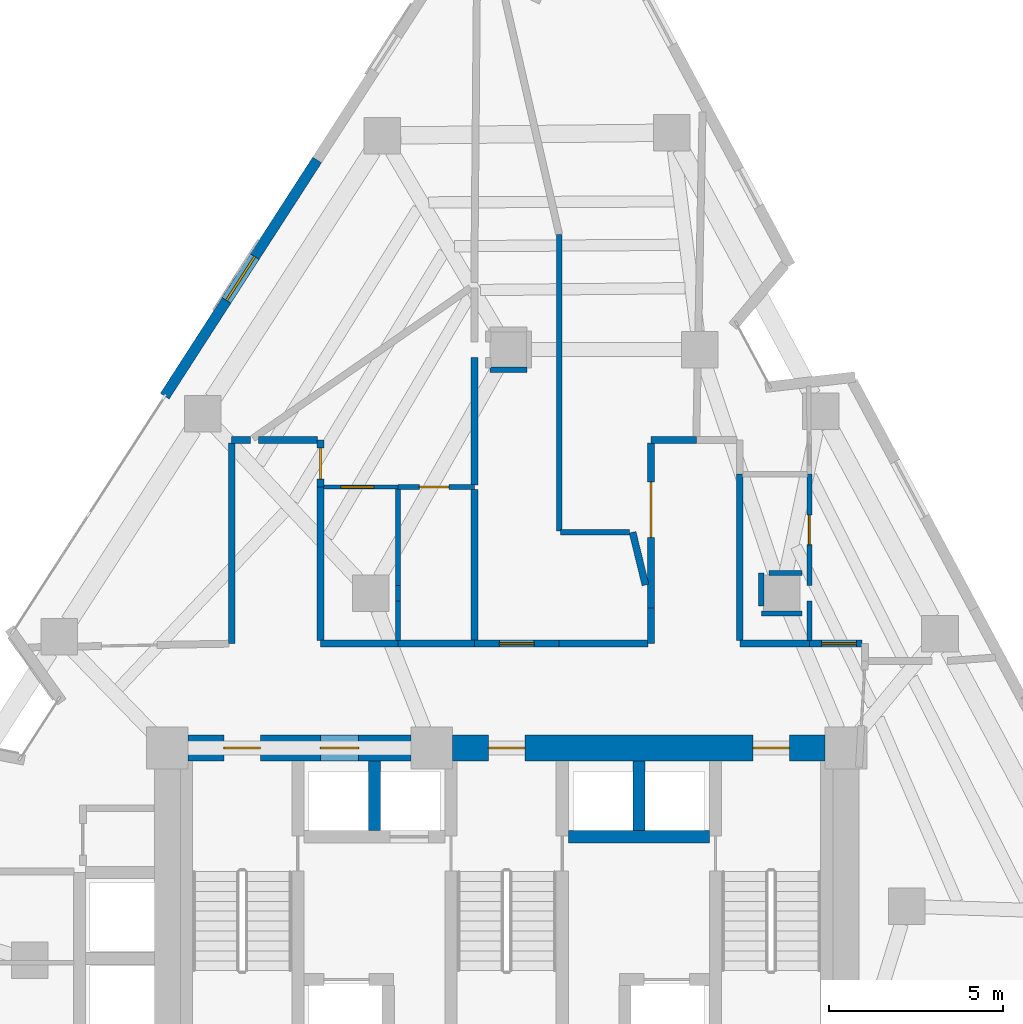
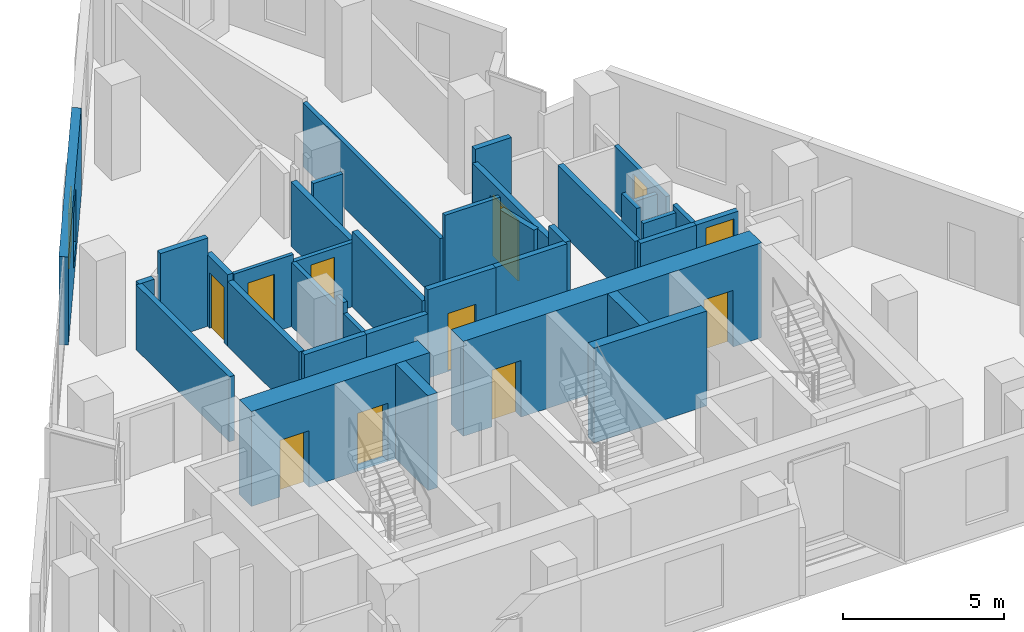
# One storey, part 7 of 11: 37 walls, 11 doors, 1 window, 12 openings.
"""IFC4 building model written with IfcOpenShell, lengths in metres."""

from ifc_helpers import new_model, si_unit, direction, frame, frame_2d, origin, place, context, subcontext, project, spatial, rectangle, extrude, material, layer, layer_set, type_object, element, fill, save


model = new_model("IFC4")

# Units and contexts
model_context = context("Model", 3, precision=1e-05, world=origin(), true_north=direction((0.0, 1.0)))
body_context = subcontext(model_context, "Body", "Model", "MODEL_VIEW")
ifc_project = project(units=[si_unit("LENGTHUNIT", "METRE"), si_unit("AREAUNIT", "SQUARE_METRE"), si_unit("VOLUMEUNIT", "CUBIC_METRE"), si_unit("PLANEANGLEUNIT", "RADIAN"), si_unit("MASSUNIT", "GRAM", prefix="KILO")], contexts=[model_context])

# Site, building, storey
site_placement = place(None, origin())
site = spatial("IfcSite", under=ifc_project, at=site_placement, CompositionType="ELEMENT")
building_placement = place(site_placement, origin())
building = spatial("IfcBuilding", under=site, at=building_placement, Name="Almagre Mirador Tower", CompositionType="ELEMENT")
storey_placement = place(building_placement, frame((0.0, 0.0, 189.60009765625)))
storey = spatial("IfcBuildingStorey", under=building, at=storey_placement, Name="L49", CompositionType="ELEMENT", Elevation=189.60009765625)

# Wall, opening, window
ifc_material_1 = material(Name="Precast concrete C50/60", Category="concrete")
ifc_layer_1 = layer(ifc_material_1, 0.300048828125)
ifc_layer_set_1 = layer_set([ifc_layer_1], Name="Precast concrete C50/60")
wall_type_1 = type_object("IfcWallType", Name="WAL-EXT-300", PredefinedType="SOLIDWALL", material=ifc_layer_set_1)
wall_1_placement = place(storey_placement, frame((27.474609375, 24.861083984375, 0.0), z_axis=(0.0, 0.0, 1.0), x_axis=(0.542020169158, 0.840365477769, 0.0)))
wall_1 = element("IfcWall", 1, at=wall_1_placement, inside=storey, type_object=wall_type_1, Name="L49 expressed almagre precast frame wall 03", PredefinedType="SOLIDWALL", context=body_context, shape_type="SweptSolid", body=[
    extrude(rectangle(XDim=8.078369140625, YDim=0.300048828125, at=frame_2d((4.0390625, 0.0))), origin(), (0.0, 0.0, 1.0), 3.349853515625),
])
opening_1_placement = place(wall_1_placement, frame((3.27490234375, 0.0, 0.60009765625)))
opening_1 = element("IfcOpeningElement", 2, at=opening_1_placement, cuts=wall_1, Name="Opening WN-03", PredefinedType="OPENING", context=body_context, shape_type="SweptSolid", body=[
    extrude(rectangle(XDim=1.5, YDim=2.10009765625, at=frame_2d((0.75, 1.050048828125))), frame((0.0, 0.159902, 0.0), z_axis=(0.0, -1.0, 0.0), x_axis=(1.0, 0.0, 0.0)), (0.0, 0.0, 1.0), 0.320049),
])
ifc_material_2 = material(Name="Dark solar-control laminated hurricane glass", Category="glass")
window_type = type_object("IfcWindowType", Name="WIN-1500X2100", PartitioningType="DOUBLE_PANEL_VERTICAL", PredefinedType="WINDOW", material=ifc_material_2)
window_placement = place(opening_1_placement, origin())
window = element("IfcWindow", 3, at=window_placement, inside=storey, type_object=window_type, Name="L49 recessed hurricane window L49-RST-D", OverallHeight=2.10009765625, OverallWidth=1.5, PartitioningType="SINGLE_PANEL", PredefinedType="WINDOW", context=body_context, shape_type="SweptSolid", body=[
    extrude(rectangle(XDim=1.5, YDim=2.10009765625, at=frame_2d((0.75, 1.050048828125))), frame((0.0, 0.030029296875, 0.0), z_axis=(0.0, -1.0, 0.0), x_axis=(1.0, 0.0, 0.0)), (0.0, 0.0, 1.0), 0.06005859375),
])
fill(opening_1, window)

# Wall, opening, door
ifc_material_3 = material(Name="Gypsum acoustic stud partition", Category="other")
ifc_layer_2 = layer(ifc_material_3, 0.125)
ifc_layer_set_2 = layer_set([ifc_layer_2], Name="Gypsum acoustic stud partition")
wall_type_2 = type_object("IfcWallType", Name="WAL-PRT-125-UTL", PredefinedType="PARTITIONING", material=ifc_layer_set_2)
wall_2_placement = place(storey_placement, frame((32.034912109375, 22.25, 0.0), z_axis=(0.0, 0.0, 1.0), x_axis=(1.0, 0.0, 0.0)))
wall_2 = element("IfcWall", 4, at=wall_2_placement, inside=storey, type_object=wall_type_2, Name="L49 interior partition 042", PredefinedType="PARTITIONING", context=body_context, shape_type="SweptSolid", body=[
    extrude(rectangle(XDim=2.14501953125, YDim=0.125, at=frame_2d((1.072509765625, 0.0))), origin(), (0.0, 0.0, 1.0), 2.7119140625),
])
opening_2_placement = place(wall_2_placement, frame((0.49951171875, 0.0, 0.0)))
opening_2 = element("IfcOpeningElement", 5, at=opening_2_placement, cuts=wall_2, Name="Opening UD-01", PredefinedType="OPENING", context=body_context, shape_type="SweptSolid", body=[
    extrude(rectangle(XDim=0.949951171875, YDim=2.199951171875, at=frame_2d((0.47509765625, 1.10009765625))), frame((0.0, 0.0725, 0.0), z_axis=(0.0, -1.0, 0.0), x_axis=(1.0, 0.0, 0.0)), (0.0, 0.0, 1.0), 0.145),
])
ifc_material_4 = material(Name="Solid American walnut timber", Category="wood")
door_type_1 = type_object("IfcDoorType", Name="DOR-UNR-950X2200", OperationType="NOTDEFINED", PredefinedType="DOOR", material=ifc_material_4)
door_1_placement = place(opening_2_placement, origin())
door_1 = element("IfcDoor", 6, at=door_1_placement, inside=storey, type_object=door_type_1, Name="DR-1552 L49 interior door L49-UE-ST to L49-UE-KT", OperationType="SINGLE_SWING_RIGHT", OverallHeight=2.199951171875, OverallWidth=0.949951171875, PredefinedType="DOOR", context=body_context, shape_type="SweptSolid", body=[
    extrude(rectangle(XDim=0.949951171875, YDim=2.199951171875, at=frame_2d((0.47509765625, 1.10009765625))), frame((0.0, 0.02490234375, 0.0), z_axis=(0.0, -1.0, 0.0), x_axis=(1.0, 0.0, 0.0)), (0.0, 0.0, 1.0), 0.050048828125),
])
fill(opening_2, door_1)

ifc_material_5 = material(Name="Gypsum acoustic stud partition", Category="other")
ifc_layer_3 = layer(ifc_material_5, 0.14990234375)
ifc_layer_set_3 = layer_set([ifc_layer_3], Name="Gypsum acoustic stud partition")
wall_type_3 = type_object("IfcWallType", Name="WAL-PRT-150-STD", PredefinedType="PARTITIONING", material=ifc_layer_set_3)
wall_3_placement = place(storey_placement, frame((34.179931640625, 22.25, 0.0), z_axis=(0.0, 0.0, 1.0), x_axis=(1.0, 0.0, 0.0)))
wall_3 = element("IfcWall", 7, at=wall_3_placement, inside=storey, type_object=wall_type_3, Name="L49 interior partition 041", PredefinedType="PARTITIONING", context=body_context, shape_type="SweptSolid", body=[
    extrude(rectangle(XDim=2.190185546875, YDim=0.14990234375, at=frame_2d((1.09521484375, 0.0))), origin(), (0.0, 0.0, 1.0), 2.435791015625),
])
opening_3_placement = place(wall_3_placement, frame((0.611083984375, 0.0, 0.0)))
opening_3 = element("IfcOpeningElement", 8, at=opening_3_placement, cuts=wall_3, Name="Opening UD-04", PredefinedType="OPENING", context=body_context, shape_type="SweptSolid", body=[
    extrude(rectangle(XDim=0.85009765625, YDim=2.10009765625, at=frame_2d((0.425048828125, 1.050048828125))), frame((0.0, 0.084951, 0.0), z_axis=(0.0, -1.0, 0.0), x_axis=(1.0, 0.0, 0.0)), (0.0, 0.0, 1.0), 0.169902),
])
ifc_material_6 = material(Name="Moisture-resistant oak timber", Category="wood")
door_type_2 = type_object("IfcDoorType", Name="DOR-UNR-850X2100", OperationType="NOTDEFINED", PredefinedType="DOOR", material=ifc_material_6)
door_2_placement = place(opening_3_placement, origin())
door_2 = element("IfcDoor", 9, at=door_2_placement, inside=storey, type_object=door_type_2, Name="DR-1553 L49 interior door L49-UE-ST to L49-UE-BT", OperationType="SINGLE_SWING_LEFT", OverallHeight=2.10009765625, OverallWidth=0.85009765625, PredefinedType="DOOR", context=body_context, shape_type="SweptSolid", body=[
    extrude(rectangle(XDim=0.85009765625, YDim=2.10009765625, at=frame_2d((0.425048828125, 1.050048828125))), frame((0.0, 0.02490234375, 0.0), z_axis=(0.0, -1.0, 0.0), x_axis=(1.0, 0.0, 0.0)), (0.0, 0.0, 1.0), 0.050048828125),
])
fill(opening_3, door_2)

# Walls
wall_4_placement = place(storey_placement, frame((34.179931640625, 18.97998046875, 0.0), z_axis=(0.0, 0.0, 1.0), x_axis=(0.0, -1.0, 0.0)))
element("IfcWall", 10, at=wall_4_placement, inside=storey, type_object=wall_type_3, Name="L49 interior partition 045", PredefinedType="PARTITIONING", context=body_context, shape_type="SweptSolid", body=[
    extrude(rectangle(XDim=1.14501953125, YDim=0.14990234375, at=frame_2d((0.572509765625, 0.0))), origin(), (0.0, 0.0, 1.0), 2.435791015625),
])
wall_5_placement = place(storey_placement, frame((34.179931640625, 22.18994140625, 0.0), z_axis=(0.0, 0.0, 1.0), x_axis=(0.0, -1.0, 0.0)))
element("IfcWall", 11, at=wall_5_placement, inside=storey, type_object=wall_type_3, Name="L49 interior partition 046", PredefinedType="PARTITIONING", context=body_context, shape_type="SweptSolid", body=[
    extrude(rectangle(XDim=2.77001953125, YDim=0.14990234375, at=frame_2d((1.385009765625, 0.0))), origin(), (0.0, 0.0, 1.0), 2.435791015625),
])
wall_6_placement = place(storey_placement, frame((46.0, 18.97998046875, 0.0), z_axis=(0.0, 0.0, 1.0), x_axis=(0.0, -1.0, 0.0)))
element("IfcWall", 12, at=wall_6_placement, inside=storey, type_object=wall_type_3, Name="L49 interior partition 052", PredefinedType="PARTITIONING", context=body_context, shape_type="SweptSolid", body=[
    extrude(rectangle(XDim=1.14501953125, YDim=0.14990234375, at=frame_2d((0.572509765625, 0.0))), origin(), (0.0, 0.0, 1.0), 2.435791015625),
])

# Wall, opening, door
wall_7_placement = place(storey_placement, frame((46.0, 22.6201171875, 0.0), z_axis=(0.0, 0.0, 1.0), x_axis=(0.0, -1.0, 0.0)))
wall_7 = element("IfcWall", 13, at=wall_7_placement, inside=storey, type_object=wall_type_3, Name="L49 interior partition 053", PredefinedType="PARTITIONING", context=body_context, shape_type="SweptSolid", body=[
    extrude(rectangle(XDim=3.2001953125, YDim=0.14990234375, at=frame_2d((1.60009765625, 0.0))), origin(), (0.0, 0.0, 1.0), 2.4638671875),
])
opening_4_placement = place(wall_7_placement, frame((1.175048828125, 0.0, 0.0)))
opening_4 = element("IfcOpeningElement", 14, at=opening_4_placement, cuts=wall_7, Name="Opening UD-04", PredefinedType="OPENING", context=body_context, shape_type="SweptSolid", body=[
    extrude(rectangle(XDim=0.85009765625, YDim=2.10009765625, at=frame_2d((0.425048828125, 1.050048828125))), frame((0.0, 0.084951, 0.0), z_axis=(0.0, -1.0, 0.0), x_axis=(1.0, 0.0, 0.0)), (0.0, 0.0, 1.0), 0.169902),
])
door_3_placement = place(opening_4_placement, origin())
door_3 = element("IfcDoor", 15, at=door_3_placement, inside=storey, type_object=door_type_2, Name="DR-1557 L49 interior door L49-UG-ST to L49-UG-BT", OperationType="SINGLE_SWING_LEFT", OverallHeight=2.10009765625, OverallWidth=0.85009765625, PredefinedType="DOOR", context=body_context, shape_type="SweptSolid", body=[
    extrude(rectangle(XDim=0.85009765625, YDim=2.10009765625, at=frame_2d((0.425048828125, 1.050048828125))), frame((0.0, 0.02490234375, 0.0), z_axis=(0.0, -1.0, 0.0), x_axis=(1.0, 0.0, 0.0)), (0.0, 0.0, 1.0), 0.050048828125),
])
fill(opening_4, door_3)

# Walls
wall_8_placement = place(storey_placement, frame((34.179931640625, 19.419921875, 0.0), z_axis=(0.0, 0.0, 1.0), x_axis=(0.0, -1.0, 0.0)))
element("IfcWall", 16, at=wall_8_placement, inside=storey, type_object=wall_type_3, Name="L49 interior partition 062", PredefinedType="PARTITIONING", context=body_context, shape_type="SweptSolid", body=[
    extrude(rectangle(XDim=0.43994140625, YDim=0.14990234375, at=frame_2d((0.219970703125, 0.0))), origin(), (0.0, 0.0, 1.0), 2.852783203125),
])
wall_9_placement = place(storey_placement, frame((45.784912109375, 18.6201171875, 0.0), z_axis=(0.0, 0.0, 1.0), x_axis=(-1.0, 0.0, 0.0)))
element("IfcWall", 17, at=wall_9_placement, inside=storey, type_object=wall_type_3, Name="L49 interior partition 063", PredefinedType="PARTITIONING", context=body_context, shape_type="SweptSolid", body=[
    extrude(rectangle(XDim=1.164794921875, YDim=0.14990234375, at=frame_2d((0.58251953125, 0.0))), origin(), (0.0, 0.0, 1.0), 2.435791015625),
])
wall_10_placement = place(storey_placement, frame((44.6201171875, 18.8349609375, 0.0), z_axis=(0.0, 0.0, 1.0), x_axis=(0.0, 1.0, 0.0)))
element("IfcWall", 18, at=wall_10_placement, inside=storey, type_object=wall_type_3, Name="L49 interior partition 064", PredefinedType="PARTITIONING", context=body_context, shape_type="SweptSolid", body=[
    extrude(rectangle(XDim=0.945068359375, YDim=0.14990234375, at=frame_2d((0.47265625, 0.0))), origin(), (0.0, 0.0, 1.0), 2.852783203125),
])
wall_11_placement = place(storey_placement, frame((44.8349609375, 19.780029296875, 0.0), z_axis=(0.0, 0.0, 1.0), x_axis=(1.0, 0.0, 0.0)))
element("IfcWall", 19, at=wall_11_placement, inside=storey, type_object=wall_type_3, Name="L49 interior partition 065", PredefinedType="PARTITIONING", context=body_context, shape_type="SweptSolid", body=[
    extrude(rectangle(XDim=0.949951171875, YDim=0.14990234375, at=frame_2d((0.47509765625, 0.0))), origin(), (0.0, 0.0, 1.0), 2.435791015625),
])
wall_12_placement = place(storey_placement, frame((37.889892578125, 25.6201171875, 0.0), z_axis=(0.0, 0.0, 1.0), x_axis=(-1.0, 0.0, 0.0)))
element("IfcWall", 20, at=wall_12_placement, inside=storey, type_object=wall_type_3, Name="L49 interior partition 070", PredefinedType="PARTITIONING", context=body_context, shape_type="SweptSolid", body=[
    extrude(rectangle(XDim=1.06982421875, YDim=0.14990234375, at=frame_2d((0.534912109375, 0.0))), origin(), (0.0, 0.0, 1.0), 2.435791015625),
])
wall_13_placement = place(storey_placement, frame((40.8349609375, 20.949951171875, 0.0), z_axis=(0.0, 0.0, 1.0), x_axis=(-1.0, 0.0, 0.0)))
element("IfcWall", 21, at=wall_13_placement, inside=storey, type_object=wall_type_3, Name="L49 interior partition 072", PredefinedType="PARTITIONING", context=body_context, shape_type="SweptSolid", body=[
    extrude(rectangle(XDim=1.98486328125, YDim=0.14990234375, at=frame_2d((0.992431640625, 0.0))), origin(), (0.0, 0.0, 1.0), 3.349853515625),
])
wall_14_placement = place(storey_placement, frame((38.81005859375, 20.989990234375, 0.0), z_axis=(0.0, 0.0, 1.0), x_axis=(0.0, 1.0, 0.0)))
element("IfcWall", 22, at=wall_14_placement, inside=storey, type_object=wall_type_3, Name="L49 interior partition 073", PredefinedType="PARTITIONING", context=body_context, shape_type="SweptSolid", body=[
    extrude(rectangle(XDim=8.52001953125, YDim=0.14990234375, at=frame_2d((4.260009765625, 0.0))), origin(), (0.0, 0.0, 1.0), 2.435791015625),
])
ifc_material_7 = material(Name="Gypsum acoustic stud partition", Category="other")
ifc_layer_4 = layer(ifc_material_7, 0.199951171875)
ifc_layer_set_4 = layer_set([ifc_layer_4], Name="Gypsum acoustic stud partition")
wall_type_4 = type_object("IfcWallType", Name="WAL-PRT-200-EI60", PredefinedType="PARTITIONING", material=ifc_layer_set_4)
wall_15_placement = place(storey_placement, frame((29.93994140625, 23.60009765625, 0.0), z_axis=(0.0, 0.0, 1.0), x_axis=(-1.0, 0.0, 0.0)))
element("IfcWall", 23, at=wall_15_placement, inside=storey, type_object=wall_type_4, Name="L49 interior partition 005", PredefinedType="PARTITIONING", context=body_context, shape_type="SweptSolid", body=[
    extrude(rectangle(XDim=0.5400390625, YDim=0.199951171875, at=frame_2d((0.27001953125, 0.0))), origin(), (0.0, 0.0, 1.0), 2.4638671875),
])
wall_16_placement = place(storey_placement, frame((29.39990234375, 23.514892578125, 0.0), z_axis=(0.0, 0.0, 1.0), x_axis=(0.0, -1.0, 0.0)))
element("IfcWall", 24, at=wall_16_placement, inside=storey, type_object=wall_type_4, Name="L49 interior partition 006", PredefinedType="PARTITIONING", context=body_context, shape_type="SweptSolid", body=[
    extrude(rectangle(XDim=5.764892578125, YDim=0.199951171875, at=frame_2d((2.88232421875, 0.0))), origin(), (0.0, 0.0, 1.0), 2.4638671875),
])

# Wall, opening, door
wall_17_placement = place(storey_placement, frame((31.949951171875, 22.25, 0.0), z_axis=(0.0, 0.0, 1.0), x_axis=(0.0, 1.0, 0.0)))
wall_17 = element("IfcWall", 25, at=wall_17_placement, inside=storey, type_object=wall_type_4, Name="L49 interior partition 008", PredefinedType="PARTITIONING", context=body_context, shape_type="SweptSolid", body=[
    extrude(rectangle(XDim=1.35009765625, YDim=0.199951171875, at=frame_2d((0.675048828125, 0.0))), origin(), (0.0, 0.0, 1.0), 2.7119140625),
])
opening_5_placement = place(wall_17_placement, frame((0.22509765625, 0.0, 0.0)))
opening_5 = element("IfcOpeningElement", 26, at=opening_5_placement, cuts=wall_17, Name="Opening ID-03", PredefinedType="OPENING", context=body_context, shape_type="SweptSolid", body=[
    extrude(rectangle(XDim=0.89990234375, YDim=2.10009765625, at=frame_2d((0.449951171875, 1.050048828125))), frame((0.0, 0.110098, 0.0), z_axis=(0.0, -1.0, 0.0), x_axis=(1.0, 0.0, 0.0)), (0.0, 0.0, 1.0), 0.219951),
])
ifc_material_8 = material(Name="Fire-rated hollow steel", Category="steel")
door_type_3 = type_object("IfcDoorType", Name="DOR-FD60-900X2100", OperationType="NOTDEFINED", PredefinedType="DOOR", material=ifc_material_8)
door_4_placement = place(opening_5_placement, origin())
door_4 = element("IfcDoor", 27, at=door_4_placement, inside=storey, type_object=door_type_3, Name="DR-1551 L49 interior door L49-RCOR to L49-UE-ST", OperationType="SINGLE_SWING_LEFT", OverallHeight=2.10009765625, OverallWidth=0.89990234375, PredefinedType="DOOR", context=body_context, shape_type="SweptSolid", body=[
    extrude(rectangle(XDim=0.89990234375, YDim=2.10009765625, at=frame_2d((0.449951171875, 1.050048828125))), frame((0.0, 0.02490234375, 0.0), z_axis=(0.0, -1.0, 0.0), x_axis=(1.0, 0.0, 0.0)), (0.0, 0.0, 1.0), 0.050048828125),
])
fill(opening_5, door_4)

# Walls
wall_18_placement = place(storey_placement, frame((31.864990234375, 23.60009765625, 0.0), z_axis=(0.0, 0.0, 1.0), x_axis=(-1.0, 0.0, 0.0)))
element("IfcWall", 28, at=wall_18_placement, inside=storey, type_object=wall_type_4, Name="L49 interior partition 009", PredefinedType="PARTITIONING", context=body_context, shape_type="SweptSolid", body=[
    extrude(rectangle(XDim=1.699951171875, YDim=0.199951171875, at=frame_2d((0.85009765625, 0.0))), origin(), (0.0, 0.0, 1.0), 3.349853515625),
])
wall_19_placement = place(storey_placement, frame((36.3701171875, 17.75, 0.0), z_axis=(0.0, 0.0, 1.0), x_axis=(-1.0, 0.0, 0.0)))
element("IfcWall", 29, at=wall_19_placement, inside=storey, type_object=wall_type_4, Name="L49 interior partition 010", PredefinedType="PARTITIONING", context=body_context, shape_type="SweptSolid", body=[
    extrude(rectangle(XDim=2.190185546875, YDim=0.199951171875, at=frame_2d((1.09521484375, 0.0))), origin(), (0.0, 0.0, 1.0), 2.435791015625),
])
wall_20_placement = place(storey_placement, frame((34.179931640625, 17.75, 0.0), z_axis=(0.0, 0.0, 1.0), x_axis=(-1.0, 0.0, 0.0)))
element("IfcWall", 30, at=wall_20_placement, inside=storey, type_object=wall_type_4, Name="L49 interior partition 011", PredefinedType="PARTITIONING", context=body_context, shape_type="SweptSolid", body=[
    extrude(rectangle(XDim=2.22998046875, YDim=0.199951171875, at=frame_2d((1.114990234375, 0.0))), origin(), (0.0, 0.0, 1.0), 2.435791015625),
])
wall_21_placement = place(storey_placement, frame((31.949951171875, 17.8349609375, 0.0), z_axis=(0.0, 0.0, 1.0), x_axis=(0.0, 1.0, 0.0)))
element("IfcWall", 31, at=wall_21_placement, inside=storey, type_object=wall_type_4, Name="L49 interior partition 012", PredefinedType="PARTITIONING", context=body_context, shape_type="SweptSolid", body=[
    extrude(rectangle(XDim=4.4150390625, YDim=0.199951171875, at=frame_2d((2.20751953125, 0.0))), origin(), (0.0, 0.0, 1.0), 2.4638671875),
])

# Wall, opening, door
wall_22_placement = place(storey_placement, frame((38.81005859375, 17.75, 0.0), z_axis=(0.0, 0.0, 1.0), x_axis=(-1.0, 0.0, 0.0)))
wall_22 = element("IfcWall", 32, at=wall_22_placement, inside=storey, type_object=wall_type_4, Name="L49 interior partition 013", PredefinedType="PARTITIONING", context=body_context, shape_type="SweptSolid", body=[
    extrude(rectangle(XDim=2.43994140625, YDim=0.199951171875, at=frame_2d((1.219970703125, 0.0))), origin(), (0.0, 0.0, 1.0), 3.349853515625),
])
opening_6_placement = place(wall_22_placement, frame((0.719970703125, 0.0, 0.0)))
opening_6 = element("IfcOpeningElement", 33, at=opening_6_placement, cuts=wall_22, Name="Opening ID-01", PredefinedType="OPENING", context=body_context, shape_type="SweptSolid", body=[
    extrude(rectangle(XDim=1.0, YDim=2.199951171875, at=frame_2d((0.5, 1.10009765625))), frame((0.0, 0.110098, 0.0), z_axis=(0.0, -1.0, 0.0), x_axis=(1.0, 0.0, 0.0)), (0.0, 0.0, 1.0), 0.219951),
])
ifc_material_9 = material(Name="Fire-rated walnut timber", Category="wood")
door_type_4 = type_object("IfcDoorType", Name="DOR-FD60-1000X2200", OperationType="NOTDEFINED", PredefinedType="DOOR", material=ifc_material_9)
door_5_placement = place(opening_6_placement, origin())
door_5 = element("IfcDoor", 34, at=door_5_placement, inside=storey, type_object=door_type_4, Name="DR-1554 L49 interior door L49-RCOR to L49-UF-ST", OperationType="SINGLE_SWING_RIGHT", OverallHeight=2.199951171875, OverallWidth=1.0, PredefinedType="DOOR", context=body_context, shape_type="SweptSolid", body=[
    extrude(rectangle(XDim=1.0, YDim=2.199951171875, at=frame_2d((0.5, 1.10009765625))), frame((0.0, 0.02490234375, 0.0), z_axis=(0.0, -1.0, 0.0), x_axis=(1.0, 0.0, 0.0)), (0.0, 0.0, 1.0), 0.050048828125),
])
fill(opening_6, door_5)

# Walls
wall_23_placement = place(storey_placement, frame((41.449951171875, 18.780029296875, 0.0), z_axis=(0.0, 0.0, 1.0), x_axis=(0.0, -1.0, 0.0)))
element("IfcWall", 35, at=wall_23_placement, inside=storey, type_object=wall_type_4, Name="L49 interior partition 014", PredefinedType="PARTITIONING", context=body_context, shape_type="SweptSolid", body=[
    extrude(rectangle(XDim=1.030029296875, YDim=0.199951171875, at=frame_2d((0.51513671875, 0.0))), origin(), (0.0, 0.0, 1.0), 3.349853515625),
])
wall_24_placement = place(storey_placement, frame((41.364990234375, 17.75, 0.0), z_axis=(0.0, 0.0, 1.0), x_axis=(-1.0, 0.0, 0.0)))
element("IfcWall", 36, at=wall_24_placement, inside=storey, type_object=wall_type_4, Name="L49 interior partition 015", PredefinedType="PARTITIONING", context=body_context, shape_type="SweptSolid", body=[
    extrude(rectangle(XDim=2.554931640625, YDim=0.199951171875, at=frame_2d((1.27734375, 0.0))), origin(), (0.0, 0.0, 1.0), 3.349853515625),
])

# Wall, opening, door
wall_25_placement = place(storey_placement, frame((47.514892578125, 17.75, 0.0), z_axis=(0.0, 0.0, 1.0), x_axis=(-1.0, 0.0, 0.0)))
wall_25 = element("IfcWall", 37, at=wall_25_placement, inside=storey, type_object=wall_type_4, Name="L49 interior partition 017", PredefinedType="PARTITIONING", context=body_context, shape_type="SweptSolid", body=[
    extrude(rectangle(XDim=1.514892578125, YDim=0.199951171875, at=frame_2d((0.75732421875, 0.0))), origin(), (0.0, 0.0, 1.0), 2.435791015625),
])
opening_7_placement = place(wall_25_placement, frame((0.16162109375, 0.0, 0.0)))
opening_7 = element("IfcOpeningElement", 38, at=opening_7_placement, cuts=wall_25, Name="Opening ID-01", PredefinedType="OPENING", context=body_context, shape_type="SweptSolid", body=[
    extrude(rectangle(XDim=1.0, YDim=2.199951171875, at=frame_2d((0.5, 1.10009765625))), frame((0.0, 0.110098, 0.0), z_axis=(0.0, -1.0, 0.0), x_axis=(1.0, 0.0, 0.0)), (0.0, 0.0, 1.0), 0.219951),
])
door_6_placement = place(opening_7_placement, origin())
door_6 = element("IfcDoor", 39, at=door_6_placement, inside=storey, type_object=door_type_4, Name="DR-1555 L49 interior door L49-RCOR to L49-UG-ST", OperationType="SINGLE_SWING_LEFT", OverallHeight=2.199951171875, OverallWidth=1.0, PredefinedType="DOOR", context=body_context, shape_type="SweptSolid", body=[
    extrude(rectangle(XDim=1.0, YDim=2.199951171875, at=frame_2d((0.5, 1.10009765625))), frame((0.0, 0.02490234375, 0.0), z_axis=(0.0, -1.0, 0.0), x_axis=(1.0, 0.0, 0.0)), (0.0, 0.0, 1.0), 0.050048828125),
])
fill(opening_7, door_6)

# Walls
wall_26_placement = place(storey_placement, frame((46.0, 17.75, 0.0), z_axis=(0.0, 0.0, 1.0), x_axis=(-1.0, 0.0, 0.0)))
element("IfcWall", 40, at=wall_26_placement, inside=storey, type_object=wall_type_4, Name="L49 interior partition 018", PredefinedType="PARTITIONING", context=body_context, shape_type="SweptSolid", body=[
    extrude(rectangle(XDim=2.0, YDim=0.199951171875, at=frame_2d((1.0, 0.0))), origin(), (0.0, 0.0, 1.0), 2.435791015625),
])
wall_27_placement = place(storey_placement, frame((44.0, 17.8349609375, 0.0), z_axis=(0.0, 0.0, 1.0), x_axis=(0.0, 1.0, 0.0)))
element("IfcWall", 41, at=wall_27_placement, inside=storey, type_object=wall_type_4, Name="L49 interior partition 019", PredefinedType="PARTITIONING", context=body_context, shape_type="SweptSolid", body=[
    extrude(rectangle(XDim=4.78515625, YDim=0.199951171875, at=frame_2d((2.392578125, 0.0))), origin(), (0.0, 0.0, 1.0), 2.435791015625),
])
wall_28_placement = place(storey_placement, frame((42.75, 23.60009765625, 0.0), z_axis=(0.0, 0.0, 1.0), x_axis=(-1.0, 0.0, 0.0)))
element("IfcWall", 42, at=wall_28_placement, inside=storey, type_object=wall_type_4, Name="L49 interior partition 022", PredefinedType="PARTITIONING", context=body_context, shape_type="SweptSolid", body=[
    extrude(rectangle(XDim=1.300048828125, YDim=0.199951171875, at=frame_2d((0.64990234375, 0.0))), origin(), (0.0, 0.0, 1.0), 3.349853515625),
])

# Wall, opening, door
wall_29_placement = place(storey_placement, frame((41.449951171875, 23.514892578125, 0.0), z_axis=(0.0, 0.0, 1.0), x_axis=(0.0, -1.0, 0.0)))
wall_29 = element("IfcWall", 43, at=wall_29_placement, inside=storey, type_object=wall_type_4, Name="L49 interior partition 023", PredefinedType="PARTITIONING", context=body_context, shape_type="SweptSolid", body=[
    extrude(rectangle(XDim=4.73486328125, YDim=0.199951171875, at=frame_2d((2.367431640625, 0.0))), origin(), (0.0, 0.0, 1.0), 2.852783203125),
])
opening_8_placement = place(wall_29_placement, frame((1.11328125, 0.0, 0.0)))
opening_8 = element("IfcOpeningElement", 44, at=opening_8_placement, cuts=wall_29, Name="Opening ID-05", PredefinedType="OPENING", context=body_context, shape_type="SweptSolid", body=[
    extrude(rectangle(XDim=1.60009765625, YDim=2.300048828125, at=frame_2d((0.800048828125, 1.14990234375))), frame((0.0, 0.110098, 0.0), z_axis=(0.0, -1.0, 0.0), x_axis=(1.0, 0.0, 0.0)), (0.0, 0.0, 1.0), 0.219951),
])
ifc_material_10 = material(Name="Fire-rated acoustic timber", Category="wood")
door_type_5 = type_object("IfcDoorType", Name="DOR-FD60-1600X2300", OperationType="DOUBLE_DOOR_SINGLE_SWING", PredefinedType="DOOR", material=ifc_material_10)
door_7_placement = place(opening_8_placement, origin())
door_7 = element("IfcDoor", 45, at=door_7_placement, inside=storey, type_object=door_type_5, Name="DR-1547 L49 interior door L49-RCOR to L49-RST-H", OperationType="DOUBLE_DOOR_SINGLE_SWING", OverallHeight=2.300048828125, OverallWidth=1.60009765625, PredefinedType="DOOR", context=body_context, shape_type="SweptSolid", body=[
    extrude(rectangle(XDim=1.60009765625, YDim=2.300048828125, at=frame_2d((0.800048828125, 1.14990234375))), frame((0.0, 0.02490234375, 0.0), z_axis=(0.0, -1.0, 0.0), x_axis=(1.0, 0.0, 0.0)), (0.0, 0.0, 1.0), 0.050048828125),
])
fill(opening_8, door_7)

# Walls
wall_30_placement = place(storey_placement, frame((36.3701171875, 22.31005859375, 0.0), z_axis=(0.0, 0.0, 1.0), x_axis=(0.0, 1.0, 0.0)))
element("IfcWall", 46, at=wall_30_placement, inside=storey, type_object=wall_type_4, Name="L49 interior partition 043", PredefinedType="PARTITIONING", context=body_context, shape_type="SweptSolid", body=[
    extrude(rectangle(XDim=3.669921875, YDim=0.199951171875, at=frame_2d((1.8349609375, 0.0))), origin(), (0.0, 0.0, 1.0), 2.435791015625),
])
wall_31_placement = place(storey_placement, frame((36.3701171875, 17.8349609375, 0.0), z_axis=(0.0, 0.0, 1.0), x_axis=(0.0, 1.0, 0.0)))
element("IfcWall", 47, at=wall_31_placement, inside=storey, type_object=wall_type_4, Name="L49 interior partition 047", PredefinedType="PARTITIONING", context=body_context, shape_type="SweptSolid", body=[
    extrude(rectangle(XDim=4.344970703125, YDim=0.199951171875, at=frame_2d((2.17236328125, 0.0))), origin(), (0.0, 0.0, 1.0), 2.852783203125),
])
wall_32_placement = place(storey_placement, frame((41.2900390625, 19.43505859375, 0.0), z_axis=(0.0, 0.0, 1.0), x_axis=(-0.237338189018, 0.971427086319, 0.0)))
element("IfcWall", 48, at=wall_32_placement, inside=storey, type_object=wall_type_4, Name="L49 interior partition 051", PredefinedType="PARTITIONING", context=body_context, shape_type="SweptSolid", body=[
    extrude(rectangle(XDim=1.5595703125, YDim=0.199951171875, at=frame_2d((0.77978515625, 0.0))), origin(), (0.0, 0.0, 1.0), 2.852783203125),
])
ifc_material_11 = material(Name="Concrete C60/75", Category="concrete")
ifc_layer_5 = layer(ifc_material_11, 0.35009765625)
ifc_layer_set_5 = layer_set([ifc_layer_5], Name="Concrete C60/75")
wall_type_5 = type_object("IfcWallType", Name="WAL-SHF-350", PredefinedType="SOLIDWALL", material=ifc_layer_set_5)
wall_33_placement = place(storey_placement, frame((33.5, 12.375, 0.0), z_axis=(0.0, 0.0, 1.0), x_axis=(0.0, 1.0, 0.0)))
element("IfcWall", 49, at=wall_33_placement, inside=storey, type_object=wall_type_5, Name="L49 shaft wall PLM-M", PredefinedType="SOLIDWALL", context=body_context, shape_type="SweptSolid", body=[
    extrude(rectangle(XDim=2.0, YDim=0.35009765625, at=frame_2d((1.0, 0.0))), origin(), (0.0, 0.0, 1.0), 3.599853515625),
])
wall_34_placement = place(storey_placement, frame((39.074951171875, 12.199951171875, 0.0), z_axis=(0.0, 0.0, 1.0), x_axis=(1.0, 0.0, 0.0)))
element("IfcWall", 50, at=wall_34_placement, inside=storey, type_object=wall_type_5, Name="L49 shaft wall PLH-S", PredefinedType="SOLIDWALL", context=body_context, shape_type="SweptSolid", body=[
    extrude(rectangle(XDim=4.050048828125, YDim=0.35009765625, at=frame_2d((2.02490234375, 0.0))), origin(), (0.0, 0.0, 1.0), 3.599853515625),
])
wall_35_placement = place(storey_placement, frame((41.10009765625, 12.375, 0.0), z_axis=(0.0, 0.0, 1.0), x_axis=(0.0, 1.0, 0.0)))
element("IfcWall", 51, at=wall_35_placement, inside=storey, type_object=wall_type_5, Name="L49 shaft wall PLH-M", PredefinedType="SOLIDWALL", context=body_context, shape_type="SweptSolid", body=[
    extrude(rectangle(XDim=2.0, YDim=0.35009765625, at=frame_2d((1.0, 0.0))), origin(), (0.0, 0.0, 1.0), 3.599853515625),
])

# Wall, openings, doors
ifc_material_12 = material(Name="Concrete C60/75", Category="concrete")
ifc_layer_6 = layer(ifc_material_12, 0.75)
ifc_layer_set_6 = layer_set([ifc_layer_6], Name="Concrete C60/75")
wall_type_6 = type_object("IfcWallType", Name="WAL-SHR-750", PredefinedType="SHEAR", material=ifc_layer_set_6)
wall_36_placement = place(storey_placement, frame((28.14990234375, 14.75, 0.0), z_axis=(0.0, 0.0, 1.0), x_axis=(1.0, 0.0, 0.0)))
wall_36 = element("IfcWall", 52, at=wall_36_placement, inside=storey, type_object=wall_type_6, Name="L49 core shear wall N1", PredefinedType="SHEAR", context=body_context, shape_type="SweptSolid", body=[
    extrude(rectangle(XDim=6.400146484375, YDim=0.75, at=frame_2d((3.2001953125, 0.0))), origin(), (0.0, 0.0, 1.0), 3.599853515625),
])
opening_9_placement = place(wall_36_placement, frame((1.02490234375, 0.0, 0.0)))
opening_9 = element("IfcOpeningElement", 53, at=opening_9_placement, cuts=wall_36, Name="Opening SD-01", PredefinedType="OPENING", context=body_context, shape_type="SweptSolid", body=[
    extrude(rectangle(XDim=1.050048828125, YDim=2.14990234375, at=frame_2d((0.52490234375, 1.074951171875))), frame((0.0, 0.385, 0.0), z_axis=(0.0, -1.0, 0.0), x_axis=(1.0, 0.0, 0.0)), (0.0, 0.0, 1.0), 0.77),
])
opening_10_placement = place(wall_36_placement, frame((3.800048828125, 0.0, 0.0)))
opening_10 = element("IfcOpeningElement", 54, at=opening_10_placement, cuts=wall_36, Name="Opening LD-01", PredefinedType="OPENING", context=body_context, shape_type="SweptSolid", body=[
    extrude(rectangle(XDim=1.10009765625, YDim=2.199951171875, at=frame_2d((0.550048828125, 1.10009765625))), frame((0.0, 0.385, 0.0), z_axis=(0.0, -1.0, 0.0), x_axis=(1.0, 0.0, 0.0)), (0.0, 0.0, 1.0), 0.77),
])
ifc_material_13 = material(Name="Hollow stainless steel", Category="steel")
door_type_6 = type_object("IfcDoorType", Name="DOR-LD-1100X2200", OperationType="DOUBLE_DOOR_SLIDING", PredefinedType="DOOR", material=ifc_material_13)
door_8_placement = place(opening_10_placement, origin())
door_8 = element("IfcDoor", 55, at=door_8_placement, inside=storey, type_object=door_type_6, Name="DR-1561 L49 PL-M1 lift landing door", OperationType="DOUBLE_DOOR_SLIDING", OverallHeight=2.199951171875, OverallWidth=1.10009765625, PredefinedType="DOOR", context=body_context, shape_type="SweptSolid", body=[
    extrude(rectangle(XDim=1.10009765625, YDim=2.199951171875, at=frame_2d((0.550048828125, 1.10009765625))), frame((0.0, 0.02490234375, 0.0), z_axis=(0.0, -1.0, 0.0), x_axis=(1.0, 0.0, 0.0)), (0.0, 0.0, 1.0), 0.050048828125),
])
fill(opening_10, door_8)
ifc_material_14 = material(Name="Fire-rated hollow steel", Category="steel")
door_type_7 = type_object("IfcDoorType", Name="DOR-ST-1050X2150", OperationType="NOTDEFINED", PredefinedType="DOOR", material=ifc_material_14)
door_9_placement = place(opening_9_placement, origin())
door_9 = element("IfcDoor", 56, at=door_9_placement, inside=storey, type_object=door_type_7, Name="DR-1563 L49 protected exit stair ST-1 door", OperationType="SINGLE_SWING_RIGHT", OverallHeight=2.14990234375, OverallWidth=1.050048828125, PredefinedType="DOOR", context=body_context, shape_type="SweptSolid", body=[
    extrude(rectangle(XDim=1.050048828125, YDim=2.14990234375, at=frame_2d((0.52490234375, 1.074951171875))), frame((0.0, 0.02490234375, 0.0), z_axis=(0.0, -1.0, 0.0), x_axis=(1.0, 0.0, 0.0)), (0.0, 0.0, 1.0), 0.050048828125),
])
fill(opening_9, door_9)

wall_37_placement = place(storey_placement, frame((35.75, 14.75, 0.0), z_axis=(0.0, 0.0, 1.0), x_axis=(1.0, 0.0, 0.0)))
wall_37 = element("IfcWall", 57, at=wall_37_placement, inside=storey, type_object=wall_type_6, Name="L49 core shear wall N2", PredefinedType="SHEAR", context=body_context, shape_type="SweptSolid", body=[
    extrude(rectangle(XDim=10.699951171875, YDim=0.75, at=frame_2d((5.35009765625, 0.0))), origin(), (0.0, 0.0, 1.0), 3.599853515625),
])
opening_11_placement = place(wall_37_placement, frame((1.02490234375, 0.0, 0.0)))
opening_11 = element("IfcOpeningElement", 58, at=opening_11_placement, cuts=wall_37, Name="Opening SD-01", PredefinedType="OPENING", context=body_context, shape_type="SweptSolid", body=[
    extrude(rectangle(XDim=1.050048828125, YDim=2.14990234375, at=frame_2d((0.52490234375, 1.074951171875))), frame((0.0, 0.385, 0.0), z_axis=(0.0, -1.0, 0.0), x_axis=(1.0, 0.0, 0.0)), (0.0, 0.0, 1.0), 0.77),
])
opening_12_placement = place(wall_37_placement, frame((8.625, 0.0, 0.0)))
opening_12 = element("IfcOpeningElement", 59, at=opening_12_placement, cuts=wall_37, Name="Opening SD-01", PredefinedType="OPENING", context=body_context, shape_type="SweptSolid", body=[
    extrude(rectangle(XDim=1.050048828125, YDim=2.14990234375, at=frame_2d((0.52490234375, 1.074951171875))), frame((0.0, 0.385, 0.0), z_axis=(0.0, -1.0, 0.0), x_axis=(1.0, 0.0, 0.0)), (0.0, 0.0, 1.0), 0.77),
])
door_10_placement = place(opening_11_placement, origin())
door_10 = element("IfcDoor", 60, at=door_10_placement, inside=storey, type_object=door_type_7, Name="DR-1564 L49 protected exit stair ST-2 door", OperationType="SINGLE_SWING_RIGHT", OverallHeight=2.14990234375, OverallWidth=1.050048828125, PredefinedType="DOOR", context=body_context, shape_type="SweptSolid", body=[
    extrude(rectangle(XDim=1.050048828125, YDim=2.14990234375, at=frame_2d((0.52490234375, 1.074951171875))), frame((0.0, 0.02490234375, 0.0), z_axis=(0.0, -1.0, 0.0), x_axis=(1.0, 0.0, 0.0)), (0.0, 0.0, 1.0), 0.050048828125),
])
fill(opening_11, door_10)
door_11_placement = place(opening_12_placement, origin())
door_11 = element("IfcDoor", 61, at=door_11_placement, inside=storey, type_object=door_type_7, Name="DR-1565 L49 protected exit stair ST-3 door", OperationType="SINGLE_SWING_LEFT", OverallHeight=2.14990234375, OverallWidth=1.050048828125, PredefinedType="DOOR", context=body_context, shape_type="SweptSolid", body=[
    extrude(rectangle(XDim=1.050048828125, YDim=2.14990234375, at=frame_2d((0.52490234375, 1.074951171875))), frame((0.0, 0.02490234375, 0.0), z_axis=(0.0, -1.0, 0.0), x_axis=(1.0, 0.0, 0.0)), (0.0, 0.0, 1.0), 0.050048828125),
])
fill(opening_12, door_11)

save(model, "model.ifc")
